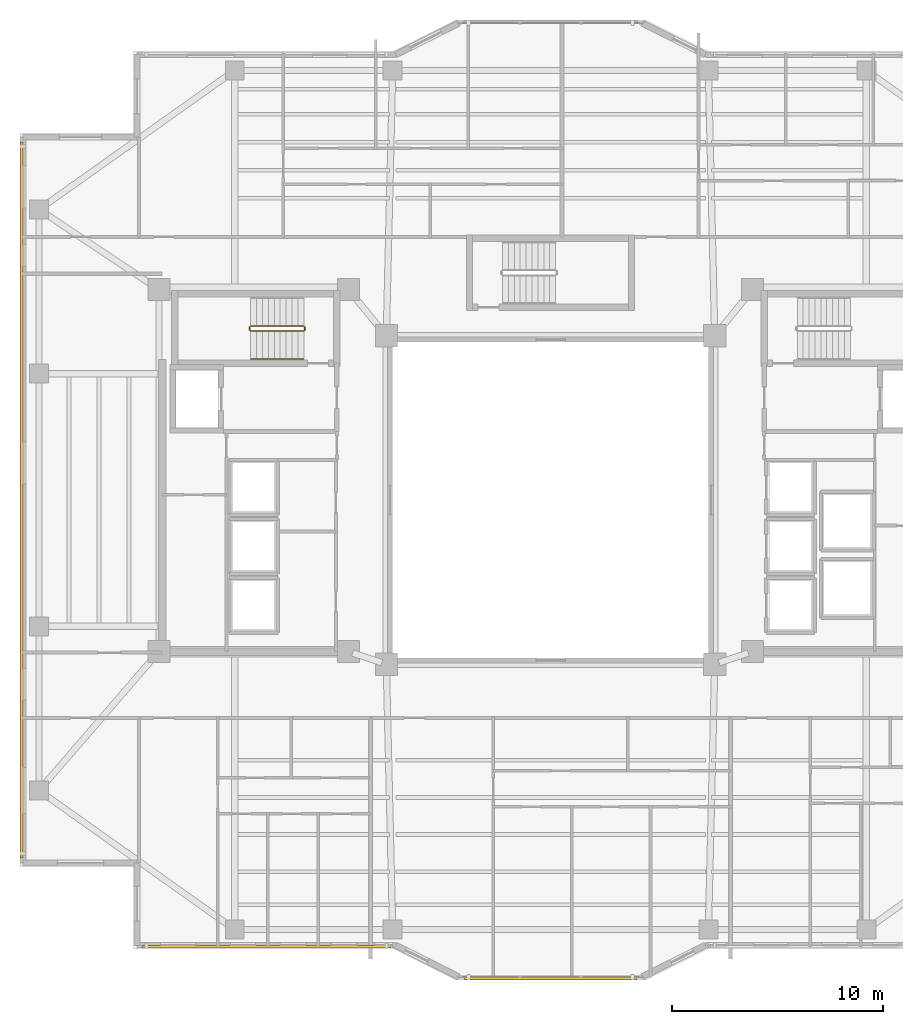
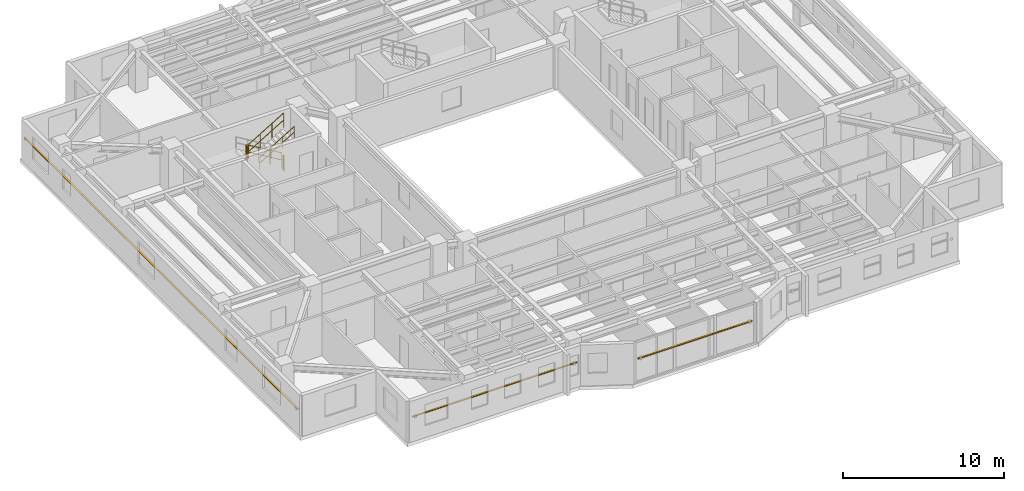
# One storey, part 14 of 16: 5 railings, 3 shading devices.
"""IFC4 building model written with IfcOpenShell, lengths in metres."""

from ifc_helpers import new_model, si_unit, direction, frame, origin, origin_2d, place, context, subcontext, project, spatial, rectangle, circle, extrude, material, material_profile, profile_set, type_object, element, save


model = new_model("IFC4")

# Units and contexts
model_context = context("Model", 3, precision=1e-05, world=origin(), true_north=direction((0.0, 1.0)))
body_context = subcontext(model_context, "Body", "Model", "MODEL_VIEW")
ifc_project = project(units=[si_unit("LENGTHUNIT", "METRE"), si_unit("AREAUNIT", "SQUARE_METRE"), si_unit("VOLUMEUNIT", "CUBIC_METRE"), si_unit("PLANEANGLEUNIT", "RADIAN"), si_unit("MASSUNIT", "GRAM", prefix="KILO")], contexts=[model_context])

# Site, building, storey
site_placement = place(None, origin())
site = spatial("IfcSite", under=ifc_project, at=site_placement, CompositionType="ELEMENT")
building_placement = place(site_placement, origin())
building = spatial("IfcBuilding", under=site, at=building_placement, Name="Tarnavaz Court Tower", CompositionType="ELEMENT")
storey_placement = place(building_placement, frame((0.0, 0.0, 146.0)))
storey = spatial("IfcBuildingStorey", under=building, at=storey_placement, Name="L39", CompositionType="ELEMENT", Elevation=146.0)

# Railings
ifc_material_1 = material(Name="Brushed Stainless Steel", Category="steel")
railing_type_1 = type_object("IfcRailingType", Name="RL-HANDRAIL-900", PredefinedType="HANDRAIL", material=ifc_material_1)
railing_1_placement = place(storey_placement, frame((-14.239990234375, 6.699951171875, 1.842529296875)))
element("IfcRailing", 1, at=railing_1_placement, inside=storey, type_object=railing_type_1, Name="L39 ST-W1 stair handrail 2", PredefinedType="HANDRAIL", context=body_context, shape_type="SweptSolid", body=[
    extrude(circle(Radius=0.02392578125, at=origin_2d()), frame((0.0, 0.0, 0.8759765625), z_axis=(0.858159760407, 0.0, 0.513382728203), x_axis=(0.0, 1.0, 0.0)), (0.0, 0.0, 1.0), 2.9365234375),
    extrude(circle(Radius=0.02392578125, at=origin_2d()), frame((0.0, 0.0, 0.449951171875), z_axis=(0.858159760407, 0.0, 0.513382728203), x_axis=(0.0, 1.0, 0.0)), (0.0, 0.0, 1.0), 2.9365234375),
    extrude(circle(Radius=0.02099609375, at=origin_2d()), origin(), (0.0, 0.0, 1.0), 0.851806640625),
    extrude(circle(Radius=0.02099609375, at=origin_2d()), frame((0.840087890625, 0.0, 0.50244140625)), (0.0, 0.0, 1.0), 0.851806640625),
    extrude(circle(Radius=0.02099609375, at=origin_2d()), frame((1.679931640625, 0.0, 1.005126953125)), (0.0, 0.0, 1.0), 0.851806640625),
    extrude(circle(Radius=0.02099609375, at=origin_2d()), frame((2.52001953125, 0.0, 1.507568359375)), (0.0, 0.0, 1.0), 0.851806640625),
])
ifc_material_2 = material(Name="Galvanized Painted Tubular Steel", Category="steel")
railing_type_2 = type_object("IfcRailingType", Name="RL-STGUARD-1120", PredefinedType="GUARDRAIL", material=ifc_material_2)
railing_2_placement = place(storey_placement, frame((-11.719970703125, 8.27001953125, 0.16748046875)))
element("IfcRailing", 2, at=railing_2_placement, inside=storey, type_object=railing_type_2, Name="L39 ST-W1 stair guard 1", PredefinedType="GUARDRAIL", context=body_context, shape_type="SweptSolid", body=[
    extrude(circle(Radius=0.02392578125, at=origin_2d()), frame((0.0, 0.0, 1.09619140625), z_axis=(-0.858159760407, 0.0, 0.513382728203), x_axis=(0.0, -1.0, 0.0)), (0.0, 0.0, 1.0), 2.9365234375),
    extrude(circle(Radius=0.02392578125, at=origin_2d()), frame((0.0, 0.0, 0.56005859375), z_axis=(-0.858159760407, 0.0, 0.513382728203), x_axis=(0.0, -1.0, 0.0)), (0.0, 0.0, 1.0), 2.9365234375),
    extrude(circle(Radius=0.02099609375, at=origin_2d()), origin(), (0.0, 0.0, 1.0), 1.072021484375),
    extrude(circle(Radius=0.02099609375, at=origin_2d()), frame((-0.840087890625, 0.0, 0.50244140625)), (0.0, 0.0, 1.0), 1.072021484375),
    extrude(circle(Radius=0.02099609375, at=origin_2d()), frame((-1.679931640625, 0.0, 1.005126953125)), (0.0, 0.0, 1.0), 1.072021484375),
    extrude(circle(Radius=0.02099609375, at=origin_2d()), frame((-2.52001953125, 0.0, 1.507568359375)), (0.0, 0.0, 1.0), 1.072021484375),
])
railing_3_placement = place(storey_placement, frame((-14.2900390625, 8.219970703125, 1.675048828125)))
element("IfcRailing", 3, at=railing_3_placement, inside=storey, type_object=railing_type_2, Name="L39 ST-W1 stair guard 2", PredefinedType="GUARDRAIL", context=body_context, shape_type="SweptSolid", body=[
    extrude(circle(Radius=0.02392578125, at=origin_2d()), frame((0.0, 0.0, 1.09619140625), z_axis=(0.0, -1.0, 0.0), x_axis=(1.0, 0.0, 0.0)), (0.0, 0.0, 1.0), 0.14990234375),
    extrude(circle(Radius=0.02392578125, at=origin_2d()), frame((0.0, 0.0, 0.56005859375), z_axis=(0.0, -1.0, 0.0), x_axis=(1.0, 0.0, 0.0)), (0.0, 0.0, 1.0), 0.14990234375),
    extrude(circle(Radius=0.02099609375, at=origin_2d()), origin(), (0.0, 0.0, 1.0), 1.072021484375),
    extrude(circle(Radius=0.02099609375, at=origin_2d()), frame((0.0, -0.14990234375, 0.0)), (0.0, 0.0, 1.0), 1.072021484375),
])
railing_4_placement = place(storey_placement, frame((-14.239990234375, 8.02001953125, 1.842529296875)))
element("IfcRailing", 4, at=railing_4_placement, inside=storey, type_object=railing_type_2, Name="L39 ST-W1 stair guard 3", PredefinedType="GUARDRAIL", context=body_context, shape_type="SweptSolid", body=[
    extrude(circle(Radius=0.02392578125, at=origin_2d()), frame((0.0, 0.0, 1.09619140625), z_axis=(0.858159760407, 0.0, 0.513382728203), x_axis=(0.0, 1.0, 0.0)), (0.0, 0.0, 1.0), 2.9365234375),
    extrude(circle(Radius=0.02392578125, at=origin_2d()), frame((0.0, 0.0, 0.56005859375), z_axis=(0.858159760407, 0.0, 0.513382728203), x_axis=(0.0, 1.0, 0.0)), (0.0, 0.0, 1.0), 2.9365234375),
    extrude(circle(Radius=0.02099609375, at=origin_2d()), origin(), (0.0, 0.0, 1.0), 1.072021484375),
    extrude(circle(Radius=0.02099609375, at=origin_2d()), frame((0.840087890625, 0.0, 0.50244140625)), (0.0, 0.0, 1.0), 1.072021484375),
    extrude(circle(Radius=0.02099609375, at=origin_2d()), frame((1.679931640625, 0.0, 1.005126953125)), (0.0, 0.0, 1.0), 1.072021484375),
    extrude(circle(Radius=0.02099609375, at=origin_2d()), frame((2.52001953125, 0.0, 1.507568359375)), (0.0, 0.0, 1.0), 1.072021484375),
])
railing_5_placement = place(storey_placement, frame((-11.669921875, 8.219970703125, 0.0)))
element("IfcRailing", 5, at=railing_5_placement, inside=storey, type_object=railing_type_2, Name="L39 ST-W1 stair guard 4", PredefinedType="GUARDRAIL", context=body_context, shape_type="SweptSolid", body=[
    extrude(circle(Radius=0.02392578125, at=origin_2d()), frame((0.0, 0.0, 1.09619140625), z_axis=(0.0, -1.0, 0.0), x_axis=(1.0, 0.0, 0.0)), (0.0, 0.0, 1.0), 0.14990234375),
    extrude(circle(Radius=0.02392578125, at=origin_2d()), frame((0.0, 0.0, 0.56005859375), z_axis=(0.0, -1.0, 0.0), x_axis=(1.0, 0.0, 0.0)), (0.0, 0.0, 1.0), 0.14990234375),
    extrude(circle(Radius=0.02099609375, at=origin_2d()), origin(), (0.0, 0.0, 1.0), 1.072021484375),
    extrude(circle(Radius=0.02099609375, at=origin_2d()), frame((0.0, -0.14990234375, 0.0)), (0.0, 0.0, 1.0), 1.072021484375),
])

# Shading devices
ifc_material_3 = material(Name="Kiln-Fired Khorasan Terracotta Ceramic", Category="masonry")
ifc_material_profile = material_profile(ifc_material_3, rectangle(XDim=0.1201171875, YDim=0.06005859375, at=origin_2d()), Name="TC BAGUETTE 120X60")
ifc_profile_set = profile_set([ifc_material_profile], Name="Kiln-Fired Khorasan Terracotta Ceramic")
shading_device_type = type_object("IfcShadingDeviceType", Name="SD-BAG-120", PredefinedType="USERDEFINED", material=ifc_profile_set)
shading_device_1_placement = place(storey_placement, frame((-25.110107421875, -17.0, 1.85009765625), z_axis=(0.0, 1.0, 0.0), x_axis=(-1.0, 0.0, 0.0)))
element("IfcShadingDevice", 6, at=shading_device_1_placement, inside=storey, type_object=shading_device_type, Name="L39 Terracotta Baguette Screen FBG02", ObjectType="BAGUETTE", PredefinedType="USERDEFINED", context=body_context, shape_type="SweptSolid", body=[
    extrude(rectangle(XDim=0.1201171875, YDim=0.06005859375, at=origin_2d()), origin(), (0.0, 0.0, 1.0), 34.0),
])
shading_device_2_placement = place(storey_placement, frame((4.10009765625, -22.7099609375, 1.800048828125), z_axis=(-1.0, 0.0, 0.0), x_axis=(0.0, -1.0, 0.0)))
element("IfcShadingDevice", 7, at=shading_device_2_placement, inside=storey, type_object=shading_device_type, Name="L39 Terracotta Baguette Screen PBG17", ObjectType="BAGUETTE", PredefinedType="USERDEFINED", context=body_context, shape_type="SweptSolid", body=[
    extrude(rectangle(XDim=0.1201171875, YDim=0.06005859375, at=origin_2d()), origin(), (0.0, 0.0, 1.0), 8.2001953125),
])
shading_device_3_placement = place(storey_placement, frame((-7.60009765625, -21.2099609375, 1.85009765625), z_axis=(-1.0, 0.0, 0.0), x_axis=(0.0, -1.0, 0.0)))
element("IfcShadingDevice", 8, at=shading_device_3_placement, inside=storey, type_object=shading_device_type, Name="L39 Terracotta Baguette Screen FBG19", ObjectType="BAGUETTE", PredefinedType="USERDEFINED", context=body_context, shape_type="SweptSolid", body=[
    extrude(rectangle(XDim=0.1201171875, YDim=0.06005859375, at=origin_2d()), origin(), (0.0, 0.0, 1.0), 11.7998046875),
])

save(model, "model.ifc")
